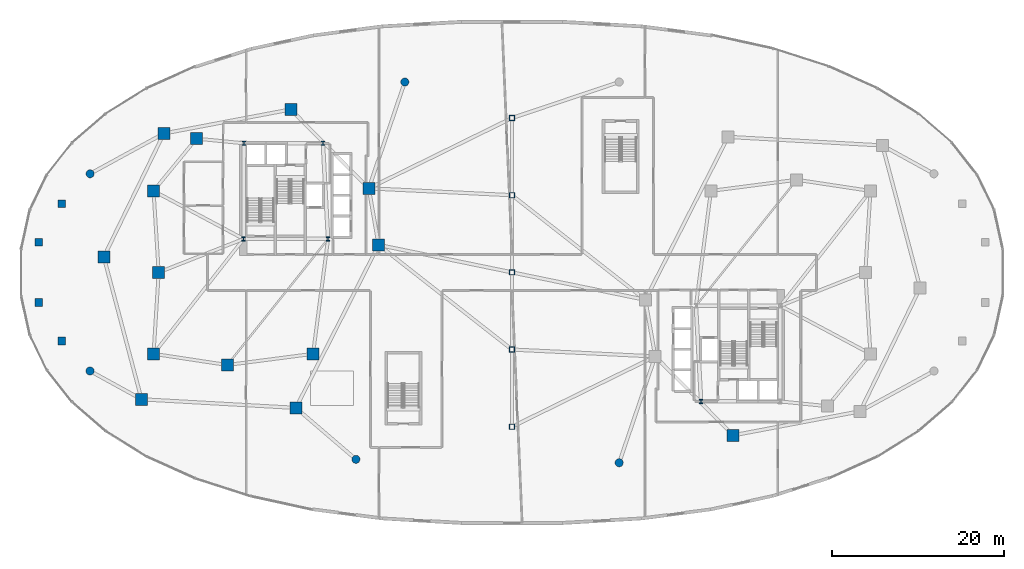
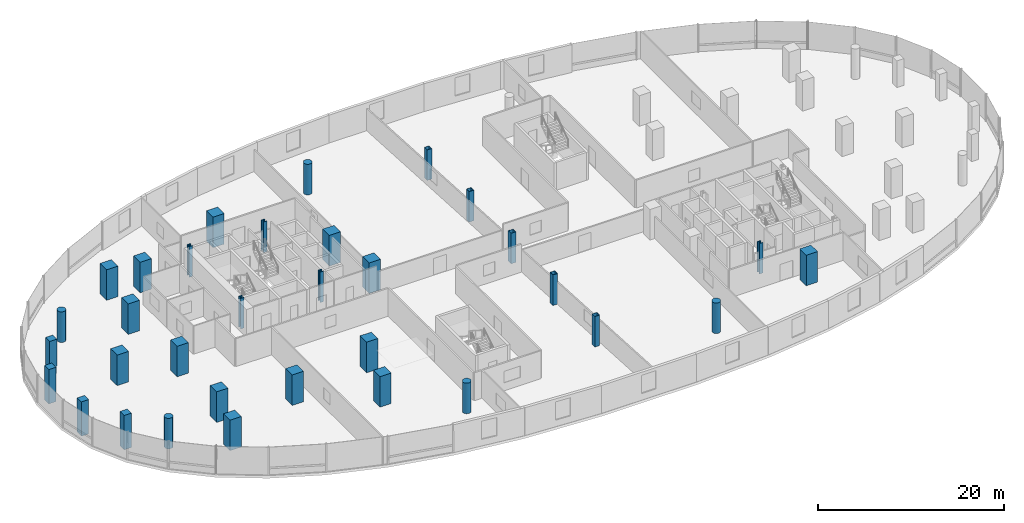
# One storey, part 1 of 19: 33 columns.
"""IFC4 building model written with IfcOpenShell, lengths in metres."""

from ifc_helpers import new_model, si_unit, direction, frame, origin, origin_2d, place, context, subcontext, project, spatial, rectangle, hollow_rectangle, circle, i_section, extrude, material, material_profile, profile_set, type_object, element, save


model = new_model("IFC4")

# Units and contexts
model_context = context("Model", 3, precision=1e-05, world=origin(), true_north=direction((0.0, 1.0)))
body_context = subcontext(model_context, "Body", "Model", "MODEL_VIEW")
ifc_project = project(units=[si_unit("LENGTHUNIT", "METRE"), si_unit("AREAUNIT", "SQUARE_METRE"), si_unit("VOLUMEUNIT", "CUBIC_METRE"), si_unit("PLANEANGLEUNIT", "RADIAN"), si_unit("MASSUNIT", "GRAM", prefix="KILO"), si_unit("THERMODYNAMICTEMPERATUREUNIT", "KELVIN"), si_unit("POWERUNIT", "WATT")], contexts=[model_context])

# Site, building, storey
site_placement = place(None, origin())
site = spatial("IfcSite", under=ifc_project, at=site_placement, CompositionType="ELEMENT")
building_placement = place(site_placement, origin())
building = spatial("IfcBuilding", under=site, at=building_placement, Name="Cundina Bronze Exchange", CompositionType="ELEMENT")
storey_placement = place(building_placement, frame((0.0, 0.0, 16.0)))
storey = spatial("IfcBuildingStorey", under=building, at=storey_placement, Name="L03", CompositionType="ELEMENT", Elevation=16.0)

# Columns
ifc_material_1 = material(Name="Concrete C60/75", Category="concrete")
ifc_material_profile_1 = material_profile(ifc_material_1, rectangle(XDim=1.39990234375, YDim=1.39990234375, at=origin_2d()), Name="RC1400X1400", Category="concrete")
ifc_profile_set_1 = profile_set([ifc_material_profile_1], Name="Concrete C60/75")
column_type_1 = type_object("IfcColumnType", Name="COL-MEGA-1400", PredefinedType="COLUMN", material=ifc_profile_set_1)
for number, where, z_axis, x_axis, name in (
    (1, (-41.199951171875, 0.0, 0.0), (0.0, 0.0, 1.0), (1.0, 0.0, 0.0), "L03 W Inner Ring Column 1"),
    (2, (-41.800048828125, 9.5, 0.0), (0.0, 0.0, 1.0), (1.0, 0.0, 0.0), "L03 W Inner Ring Column 2"),
    (3, (-36.800048828125, 15.60009765625, 0.0), (0.0, 0.0, 1.0), (1.0, 0.0, 0.0), "L03 W Inner Ring Column 3"),
    (4, (-41.800048828125, -9.5, 0.0), (0.0, 0.0, 1.0), (1.0, 0.0, 0.0), "L03 W Inner Ring Column 4"),
    (5, (-33.199951171875, -10.800048828125, 0.0), (0.0, 0.0, 1.0), (1.0, 0.0, 0.0), "L03 W Inner Ring Column 5"),
    (6, (-23.199951171875, -9.5, 0.0), (0.0, 0.0, 1.0), (1.0, 0.0, 0.0), "L03 W Inner Ring Column 6"),
    (7, (-15.550048828125, 3.199951171875, 0.0), (0.0, 0.0, 1.0), (1.0, 0.0, 0.0), "L03 W Podium Mega-Column 00"),
    (8, (-16.699951171875, 9.800048828125, 0.0), (0.0, 0.0, 1.0), (1.0, 0.0, 0.0), "L03 W Podium Mega-Column 02"),
    (9, (-25.800048828125, 19.0, 0.0), (0.0, 0.0, 1.0), (1.0, 0.0, 0.0), "L03 W Podium Mega-Column 04"),
    (10, (-40.60009765625, 16.199951171875, 0.0), (0.0, 0.0, 1.0), (1.0, 0.0, 0.0), "L03 W Podium Mega-Column 06"),
    (11, (-47.60009765625, 1.800048828125, 0.0), (0.0, 0.0, 1.0), (1.0, 0.0, 0.0), "L03 W Podium Mega-Column 08"),
    (12, (-43.199951171875, -14.800048828125, 0.0), (0.0, 0.0, 1.0), (1.0, 0.0, 0.0), "L03 W Podium Mega-Column 10"),
    (13, (-25.199951171875, -15.800048828125, 0.0), (0.0, 0.0, 1.0), (1.0, 0.0, 0.0), "L03 W Podium Mega-Column 12"),
    (14, (25.800048828125, -19.0, 0.0), (0.0, 0.0, 1.0), (1.0, 0.0, 0.0), "L03 E Podium Mega-Column 04"),
):
    element("IfcColumn", number, at=place(storey_placement, frame(where, z_axis=z_axis, x_axis=x_axis)), inside=storey, type_object=column_type_1, Name=name, PredefinedType="COLUMN", context=body_context, shape_type="SweptSolid", body=[
        extrude(rectangle(XDim=1.39990234375, YDim=1.39990234375, at=origin_2d()), origin(), (0.0, 0.0, 1.0), 4.0),
    ])
ifc_material_2 = material(Name="Concrete C50/60", Category="concrete")
ifc_material_profile_2 = material_profile(ifc_material_2, circle(Radius=0.47509765625, at=origin_2d()), Name="RC950D", Category="concrete")
ifc_profile_set_2 = profile_set([ifc_material_profile_2], Name="Concrete C50/60")
column_type_2 = type_object("IfcColumnType", Name="COL-PIL-950D", PredefinedType="PILASTER", material=ifc_profile_set_2)
for number, where, z_axis, x_axis, name in (
    (15, (-49.199951171875, 11.5, 0.0), (0.0, 0.0, 1.0), (1.0, 0.0, 0.0), "L03 Podium Colonnade Pilaster 01"),
    (16, (-49.199951171875, -11.5, 0.0), (0.0, 0.0, 1.0), (1.0, 0.0, 0.0), "L03 Podium Colonnade Pilaster 02"),
    (17, (-12.5, 22.199951171875, 0.0), (0.0, 0.0, 1.0), (1.0, 0.0, 0.0), "L03 Podium Colonnade Pilaster 03"),
    (18, (12.5, -22.199951171875, 0.0), (0.0, 0.0, 1.0), (1.0, 0.0, 0.0), "L03 Podium Colonnade Pilaster 05"),
    (19, (-18.199951171875, -21.800048828125, 0.0), (0.0, 0.0, 1.0), (1.0, 0.0, 0.0), "L03 Podium Colonnade Pilaster 06"),
):
    element("IfcColumn", number, at=place(storey_placement, frame(where, z_axis=z_axis, x_axis=x_axis)), inside=storey, type_object=column_type_2, Name=name, PredefinedType="PILASTER", context=body_context, shape_type="SweptSolid", body=[
        extrude(circle(Radius=0.47509765625, at=origin_2d()), origin(), (0.0, 0.0, 1.0), 4.0),
    ])
ifc_material_3 = material(Name="Steel ASTM A501 Grade B", Category="steel")
ifc_material_profile_3 = material_profile(ifc_material_3, hollow_rectangle(XDim=0.60009765625, YDim=0.60009765625, WallThickness=0.031982421875, at=origin_2d()), Name="HSS600X600X32", Category="steel")
ifc_profile_set_3 = profile_set([ifc_material_profile_3], Name="Steel ASTM A501 Grade B")
column_type_3 = type_object("IfcColumnType", Name="COL-STL-HSS6", PredefinedType="COLUMN", material=ifc_profile_set_3)
for number, where, z_axis, x_axis, name in (
    (20, (0.0, -18.0, 0.0), (0.0, 0.0, 1.0), (1.0, 0.0, 0.0), "L03 Concourse Spine Column 01"),
    (21, (0.0, -9.0, 0.0), (0.0, 0.0, 1.0), (1.0, 0.0, 0.0), "L03 Concourse Spine Column 02"),
    (22, (0.0, 0.0, 0.0), (0.0, 0.0, 1.0), (1.0, 0.0, 0.0), "L03 Concourse Spine Column 03"),
    (23, (0.0, 9.0, 0.0), (0.0, 0.0, 1.0), (1.0, 0.0, 0.0), "L03 Concourse Spine Column 04"),
    (24, (0.0, 18.0, 0.0), (0.0, 0.0, 1.0), (1.0, 0.0, 0.0), "L03 Concourse Spine Column 05"),
):
    element("IfcColumn", number, at=place(storey_placement, frame(where, z_axis=z_axis, x_axis=x_axis)), inside=storey, type_object=column_type_3, Name=name, PredefinedType="COLUMN", context=body_context, shape_type="SweptSolid", body=[
        extrude(hollow_rectangle(XDim=0.60009765625, YDim=0.60009765625, WallThickness=0.031982421875, at=origin_2d()), origin(), (0.0, 0.0, 1.0), 4.0),
    ])
ifc_material_4 = material(Name="Steel ASTM A992 Grade 50", Category="steel")
ifc_material_profile_4 = material_profile(ifc_material_4, i_section(OverallWidth=0.431884765625, OverallDepth=0.498046875, WebThickness=0.0556640625, FlangeThickness=0.0888671875, FilletRadius=0.01806640625, at=origin_2d()), Name="W14X500", Category="steel")
ifc_profile_set_4 = profile_set([ifc_material_profile_4], Name="Steel ASTM A992 Grade 50")
column_type_4 = type_object("IfcColumnType", Name="COL-STL-W14A", PredefinedType="COLUMN", material=ifc_profile_set_4)
for number, where, z_axis, x_axis, name in (
    (25, (-31.300048828125, 3.89990234375, 0.0), (0.0, 0.0, 1.0), (1.0, 0.0, 0.0), "L03 Core Anchor Column W1"),
    (26, (-21.449951171875, 3.89990234375, 0.0), (0.0, 0.0, 1.0), (1.0, 0.0, 0.0), "L03 Core Anchor Column W2"),
    (27, (-22.050048828125, 15.050048828125, 0.0), (0.0, 0.0, 1.0), (1.0, 0.0, 0.0), "L03 Core Anchor Column W3"),
    (28, (-31.25, 15.050048828125, 0.0), (0.0, 0.0, 1.0), (1.0, 0.0, 0.0), "L03 Core Anchor Column W4"),
    (29, (22.050048828125, -15.050048828125, 0.0), (0.0, 0.0, 1.0), (1.0, 0.0, 0.0), "L03 Core Anchor Column E3"),
):
    element("IfcColumn", number, at=place(storey_placement, frame(where, z_axis=z_axis, x_axis=x_axis)), inside=storey, type_object=column_type_4, Name=name, PredefinedType="COLUMN", context=body_context, shape_type="SweptSolid", body=[
        extrude(i_section(OverallWidth=0.431884765625, OverallDepth=0.498046875, WebThickness=0.0556640625, FlangeThickness=0.0888671875, FilletRadius=0.01806640625, at=origin_2d()), origin(), (0.0, 0.0, 1.0), 4.0),
    ])
ifc_material_profile_5 = material_profile(ifc_material_2, rectangle(XDim=0.89990234375, YDim=0.89990234375, at=origin_2d()), Name="RC900X900", Category="concrete")
ifc_profile_set_5 = profile_set([ifc_material_profile_5], Name="Concrete C50/60")
column_type_5 = type_object("IfcColumnType", Name="COL-Z4-900", PredefinedType="COLUMN", material=ifc_profile_set_5)
for number, where, z_axis, x_axis, name in (
    (30, (-52.5, -8.0, -1.0), (0.0, 0.0, 1.0), (1.0, 0.0, 0.0), "L03 Podium Crescent Wing Column W1"),
    (31, (-52.5, 8.0, -1.0), (0.0, 0.0, 1.0), (1.0, 0.0, 0.0), "L03 Podium Crescent Wing Column W2"),
    (32, (-55.199951171875, -3.5, -1.0), (0.0, 0.0, 1.0), (1.0, 0.0, 0.0), "L03 Podium Crescent Wing Column W3"),
    (33, (-55.199951171875, 3.5, -1.0), (0.0, 0.0, 1.0), (1.0, 0.0, 0.0), "L03 Podium Crescent Wing Column W4"),
):
    element("IfcColumn", number, at=place(storey_placement, frame(where, z_axis=z_axis, x_axis=x_axis)), inside=storey, type_object=column_type_5, Name=name, PredefinedType="COLUMN", context=body_context, shape_type="SweptSolid", body=[
        extrude(rectangle(XDim=0.89990234375, YDim=0.89990234375, at=origin_2d()), origin(), (0.0, 0.0, 1.0), 4.5),
    ])

save(model, "model.ifc")
